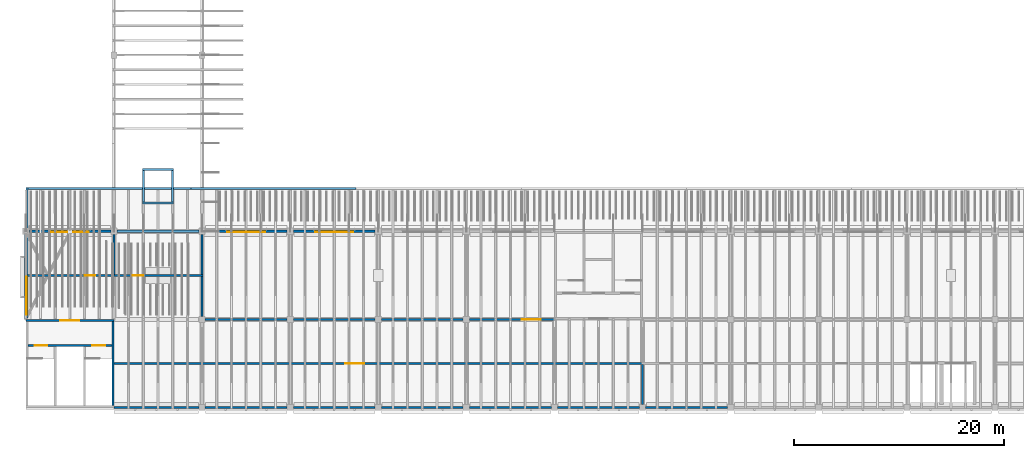
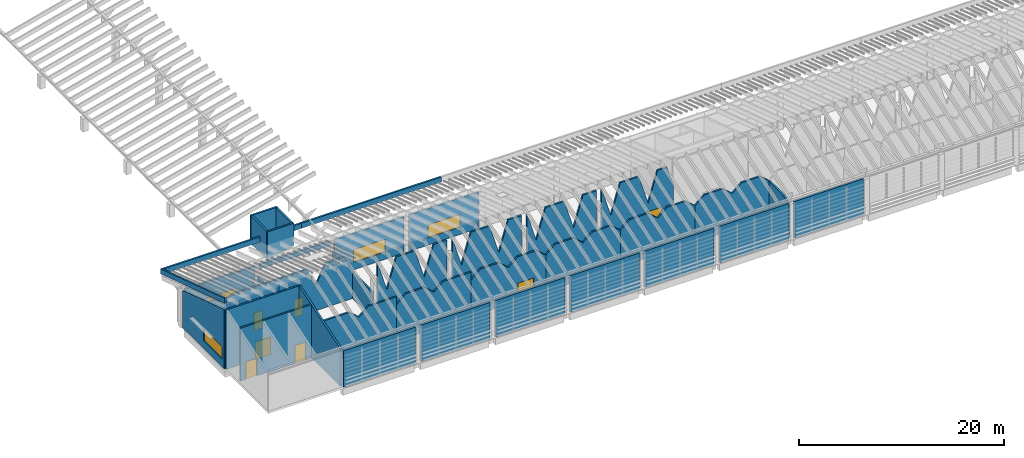
# One storey, part 19 of 59: 38 walls, 7 doors, 4 windows, 11 openings.
"""IFC4 building model written with IfcOpenShell, lengths in metres."""

from ifc_helpers import new_model, si_unit, direction, frame, frame_2d, origin, place, context, subcontext, project, spatial, polyline, rectangle, outline, extrude, material, layer, layer_set, type_object, element, fill, save


model = new_model("IFC4")

# Units and contexts
model_context = context("Model", 3, precision=1e-05, world=origin(), true_north=direction((0.0, 1.0)))
body_context = subcontext(model_context, "Body", "Model", "MODEL_VIEW")
ifc_project = project(units=[si_unit("LENGTHUNIT", "METRE"), si_unit("AREAUNIT", "SQUARE_METRE"), si_unit("VOLUMEUNIT", "CUBIC_METRE"), si_unit("PLANEANGLEUNIT", "RADIAN"), si_unit("MASSUNIT", "GRAM", prefix="KILO")], contexts=[model_context])

# Site, building, storey
site_placement = place(None, origin())
site = spatial("IfcSite", under=ifc_project, at=site_placement, CompositionType="ELEMENT")
building_placement = place(site_placement, origin())
building = spatial("IfcBuilding", under=site, at=building_placement, Name="Almond Square Museum", CompositionType="ELEMENT")
storey_placement = place(building_placement, frame((0.0, 0.0, 25.0)))
storey = spatial("IfcBuildingStorey", under=building, at=storey_placement, Name="L04", CompositionType="ELEMENT", Elevation=25.0)

# Walls
ifc_material_1 = material(Name="Concrete blockwork 200", Category="masonry")
ifc_layer_1 = layer(ifc_material_1, 0.199951171875)
ifc_layer_set_1 = layer_set([ifc_layer_1], Name="Concrete blockwork 200")
wall_type_1 = type_object("IfcWallType", Name="Fire partition 200 blockwork", PredefinedType="PARTITIONING", material=ifc_layer_set_1)
for number, where, z_axis, x_axis, name in (
    (1, (14.39990234375, 12.699951171875, 0.0), (0.0, 0.0, 1.0), (0.0, 1.0, 0.0), "L04 partition 31"),
    (2, (22.800048828125, 12.699951171875, 0.0), (0.0, 0.0, 1.0), (0.0, 1.0, 0.0), "L04 partition 32"),
):
    element("IfcWall", number, at=place(storey_placement, frame(where, z_axis=z_axis, x_axis=x_axis)), inside=storey, type_object=wall_type_1, Name=name, PredefinedType="PARTITIONING", context=body_context, shape_type="SweptSolid", body=[
        extrude(rectangle(XDim=3.800048828125, YDim=0.199951171875, at=frame_2d((1.89990234375, 0.0))), origin(), (0.0, 0.0, 1.0), 3.091064453125),
    ])

# Wall, opening, door
wall_1_placement = place(storey_placement, frame((6.14990234375, 12.60009765625, 0.0), z_axis=(0.0, 0.0, 1.0), x_axis=(1.0, 0.0, 0.0)))
wall_1 = element("IfcWall", 3, at=wall_1_placement, inside=storey, type_object=wall_type_1, Name="L04 partition 38", PredefinedType="PARTITIONING", context=body_context, shape_type="SweptSolid", body=[
    extrude(outline(polyline([(0.0, 0.0), (8.25, 0.0), (8.25, 5.264892578125), (3.14990234375, 5.264892578125), (2.10009765625, 4.489013671875), (1.050048828125, 5.264892578125), (0.0, 5.264892578125), (0.0, 0.0)])), frame((0.0, 0.10009765625, 0.0), z_axis=(0.0, -1.0, 0.0), x_axis=(1.0, 0.0, 0.0)), (0.0, 0.0, 1.0), 0.199951171875),
])
opening_1_placement = place(wall_1_placement, frame((5.47509765625, 0.0, 0.0)))
opening_1 = element("IfcOpeningElement", 4, at=opening_1_placement, cuts=wall_1, Name="Opening D4108", PredefinedType="OPENING", context=body_context, shape_type="SweptSolid", body=[
    extrude(rectangle(XDim=1.0, YDim=2.10009765625, at=frame_2d((0.5, 1.050048828125))), frame((0.0, 0.10986328125, 0.0), z_axis=(0.0, -1.0, 0.0), x_axis=(1.0, 0.0, 0.0)), (0.0, 0.0, 1.0), 0.219970703125),
])
ifc_material_2 = material(Name="Steel", Category="steel")
door_type_1 = type_object("IfcDoorType", Name="Fire door 1000 x 2100 FD60 single", OperationType="NOTDEFINED", PredefinedType="DOOR", material=ifc_material_2)
door_1_placement = place(opening_1_placement, origin())
door_1 = element("IfcDoor", 5, at=door_1_placement, inside=storey, type_object=door_type_1, Name="L04 door Cleaners' Store 2 to Service Corridor 2", OperationType="SINGLE_SWING_RIGHT", OverallHeight=2.10009765625, OverallWidth=1.0, PredefinedType="DOOR", context=body_context, shape_type="SweptSolid", body=[
    extrude(rectangle(XDim=1.0, YDim=2.10009765625, at=frame_2d((0.5, 1.050048828125))), frame((0.0, 0.02490234375, 0.0), z_axis=(0.0, -1.0, 0.0), x_axis=(1.0, 0.0, 0.0)), (0.0, 0.0, 1.0), 0.050048828125),
])
fill(opening_1, door_1)

wall_2_placement = place(storey_placement, frame((14.39990234375, 12.60009765625, 0.0), z_axis=(0.0, 0.0, 1.0), x_axis=(1.0, 0.0, 0.0)))
wall_2 = element("IfcWall", 6, at=wall_2_placement, inside=storey, type_object=wall_type_1, Name="L04 partition 39", PredefinedType="PARTITIONING", context=body_context, shape_type="SweptSolid", body=[
    extrude(outline(polyline([(0.0, 0.0), (8.5, 0.0), (8.5, 3.091064453125), (8.39990234375, 3.091064453125), (7.35009765625, 5.264892578125), (5.25, 5.264892578125), (4.199951171875, 3.091064453125), (3.14990234375, 5.264892578125), (0.0, 5.264892578125), (0.0, 0.0)])), frame((0.0, 0.10009765625, 0.0), z_axis=(0.0, -1.0, 0.0), x_axis=(1.0, 0.0, 0.0)), (0.0, 0.0, 1.0), 0.199951171875),
])
opening_2_placement = place(wall_2_placement, frame((1.77490234375, 0.0, 0.0)))
opening_2 = element("IfcOpeningElement", 7, at=opening_2_placement, cuts=wall_2, Name="Opening D4106", PredefinedType="OPENING", context=body_context, shape_type="SweptSolid", body=[
    extrude(rectangle(XDim=1.0, YDim=2.10009765625, at=frame_2d((0.5, 1.050048828125))), frame((0.0, 0.10986328125, 0.0), z_axis=(0.0, -1.0, 0.0), x_axis=(1.0, 0.0, 0.0)), (0.0, 0.0, 1.0), 0.219970703125),
])
door_2_placement = place(opening_2_placement, origin())
door_2 = element("IfcDoor", 8, at=door_2_placement, inside=storey, type_object=door_type_1, Name="L04 door Electrical Room 1 to Service Corridor 2", OperationType="SINGLE_SWING_LEFT", OverallHeight=2.10009765625, OverallWidth=1.0, PredefinedType="DOOR", context=body_context, shape_type="SweptSolid", body=[
    extrude(rectangle(XDim=1.0, YDim=2.10009765625, at=frame_2d((0.5, 1.050048828125))), frame((0.0, 0.02490234375, 0.0), z_axis=(0.0, -1.0, 0.0), x_axis=(1.0, 0.0, 0.0)), (0.0, 0.0, 1.0), 0.050048828125),
])
fill(opening_2, door_2)

# Walls
wall_3_placement = place(storey_placement, frame((23.10009765625, 8.39990234375, 0.0), z_axis=(0.0, 0.0, 1.0), x_axis=(1.0, 0.0, 0.0)))
element("IfcWall", 9, at=wall_3_placement, inside=storey, type_object=wall_type_1, Name="L04 partition 40", PredefinedType="PARTITIONING", context=body_context, shape_type="SweptSolid", body=[
    extrude(outline(polyline([(0.0, 0.0), (7.7998046875, 0.0), (7.800048828125, 6.62890625), (6.300048828125, 6.62890625), (5.25, 3.091064453125), (4.199951171875, 6.62890625), (2.10009765625, 6.62890625), (1.050048828125, 3.091064453125), (0.0, 6.62890625), (0.0, 0.0)])), frame((0.0, 0.10009765625, 0.0), z_axis=(0.0, -1.0, 0.0), x_axis=(1.0, 0.0, 0.0)), (0.0, 0.0, 1.0), 0.199951171875),
])
for number, where, z_axis, x_axis, name in (
    (10, (31.5, 8.39990234375, 0.0), (0.0, 0.0, 1.0), (1.0, 0.0, 0.0), "L04 partition 41"),
    (11, (39.89990234375, 8.39990234375, 0.0), (0.0, 0.0, 1.0), (1.0, 0.0, 0.0), "L04 partition 42"),
):
    element("IfcWall", number, at=place(storey_placement, frame(where, z_axis=z_axis, x_axis=x_axis)), inside=storey, type_object=wall_type_1, Name=name, PredefinedType="PARTITIONING", context=body_context, shape_type="SweptSolid", body=[
        extrude(outline(polyline([(0.0, 0.0), (7.800048828125, 0.0), (7.800048828125, 6.62890625), (6.300048828125, 6.62890625), (5.25, 3.091064453125), (4.199951171875, 6.62890625), (2.10009765625, 6.62890625), (1.050048828125, 3.091064453125), (0.0, 6.62890625), (0.0, 0.0)])), frame((0.0, 0.10009765625, 0.0), z_axis=(0.0, -1.0, 0.0), x_axis=(1.0, 0.0, 0.0)), (0.0, 0.0, 1.0), 0.199951171875),
    ])

# Wall, opening, door
wall_4_placement = place(storey_placement, frame((48.300048828125, 8.39990234375, 0.0), z_axis=(0.0, 0.0, 1.0), x_axis=(1.0, 0.0, 0.0)))
wall_4 = element("IfcWall", 12, at=wall_4_placement, inside=storey, type_object=wall_type_1, Name="L04 partition 43", PredefinedType="PARTITIONING", context=body_context, shape_type="SweptSolid", body=[
    extrude(outline(polyline([(0.0, 0.0), (8.099853515625, 0.0), (8.10009765625, 4.342041015625), (7.35009765625, 6.62890625), (6.300048828125, 6.62890625), (5.25, 3.091064453125), (4.199951171875, 6.62890625), (2.10009765625, 6.62890625), (1.050048828125, 3.091064453125), (0.0, 6.62890625), (0.0, 0.0)])), frame((0.0, 0.10009765625, 0.0), z_axis=(0.0, -1.0, 0.0), x_axis=(1.0, 0.0, 0.0)), (0.0, 0.0, 1.0), 0.199951171875),
])
opening_3_placement = place(wall_4_placement, frame((4.97509765625, 0.0, 0.0)))
opening_3 = element("IfcOpeningElement", 13, at=opening_3_placement, cuts=wall_4, Name="Opening D4109", PredefinedType="OPENING", context=body_context, shape_type="SweptSolid", body=[
    extrude(rectangle(XDim=1.800048828125, YDim=2.10009765625, at=frame_2d((0.89990234375, 1.050048828125))), frame((0.0, 0.10986328125, 0.0), z_axis=(0.0, -1.0, 0.0), x_axis=(1.0, 0.0, 0.0)), (0.0, 0.0, 1.0), 0.219970703125),
])
ifc_material_3 = material(Name="Steel", Category="steel")
door_type_2 = type_object("IfcDoorType", Name="Fire door 1800 x 2100 FD60 double", OperationType="NOTDEFINED", PredefinedType="DOOR", material=ifc_material_3)
door_3_placement = place(opening_3_placement, origin())
door_3 = element("IfcDoor", 14, at=door_3_placement, inside=storey, type_object=door_type_2, Name="L04 door Chiller Plant to Service Corridor 2", OperationType="DOUBLE_DOOR_SINGLE_SWING", OverallHeight=2.10009765625, OverallWidth=1.800048828125, PredefinedType="DOOR", context=body_context, shape_type="SweptSolid", body=[
    extrude(rectangle(XDim=1.800048828125, YDim=2.10009765625, at=frame_2d((0.89990234375, 1.050048828125))), frame((0.0, 0.02490234375, 0.0), z_axis=(0.0, -1.0, 0.0), x_axis=(1.0, 0.0, 0.0)), (0.0, 0.0, 1.0), 0.050048828125),
])
fill(opening_3, door_3)

# Walls
wall_5_placement = place(storey_placement, frame((22.800048828125, 8.699951171875, 0.0), z_axis=(0.0, 0.0, 1.0), x_axis=(0.0, 1.0, 0.0)))
element("IfcWall", 15, at=wall_5_placement, inside=storey, type_object=wall_type_1, Name="L04 partition 44", PredefinedType="PARTITIONING", context=body_context, shape_type="SweptSolid", body=[
    extrude(rectangle(XDim=3.800048828125, YDim=0.199951171875, at=frame_2d((1.89990234375, 0.0))), origin(), (0.0, 0.0, 1.0), 3.091064453125),
])
wall_6_placement = place(storey_placement, frame((14.39990234375, 4.199951171875, 0.0), z_axis=(0.0, 0.0, 1.0), x_axis=(1.0, 0.0, 0.0)))
element("IfcWall", 16, at=wall_6_placement, inside=storey, type_object=wall_type_1, Name="L04 partition 59", PredefinedType="PARTITIONING", context=body_context, shape_type="SweptSolid", body=[
    extrude(outline(polyline([(0.0, 0.0), (8.400146484375, 0.0), (8.39990234375, 5.264892578125), (5.25, 5.264892578125), (4.199951171875, 4.342041015625), (3.14990234375, 5.264892578125), (0.0, 5.264892578125), (0.0, 0.0)])), frame((0.0, 0.10009765625, 0.0), z_axis=(0.0, -1.0, 0.0), x_axis=(1.0, 0.0, 0.0)), (0.0, 0.0, 1.0), 0.199951171875),
])
wall_7_placement = place(storey_placement, frame((22.800048828125, 4.199951171875, 0.0), z_axis=(0.0, 0.0, 1.0), x_axis=(1.0, 0.0, 0.0)))
element("IfcWall", 17, at=wall_7_placement, inside=storey, type_object=wall_type_1, Name="L04 partition 60", PredefinedType="PARTITIONING", context=body_context, shape_type="SweptSolid", body=[
    extrude(outline(polyline([(0.0, 0.0), (8.39990234375, 0.0), (8.39990234375, 5.264892578125), (5.25, 5.264892578125), (4.199951171875, 4.342041015625), (3.14990234375, 5.264892578125), (1.050048828125, 5.264892578125), (0.0, 4.342041015625), (0.0, 0.0)])), frame((0.0, 0.10009765625, 0.0), z_axis=(0.0, -1.0, 0.0), x_axis=(1.0, 0.0, 0.0)), (0.0, 0.0, 1.0), 0.199951171875),
])

# Wall, opening, door
wall_8_placement = place(storey_placement, frame((31.199951171875, 4.199951171875, 0.0), z_axis=(0.0, 0.0, 1.0), x_axis=(1.0, 0.0, 0.0)))
wall_8 = element("IfcWall", 18, at=wall_8_placement, inside=storey, type_object=wall_type_1, Name="L04 partition 61", PredefinedType="PARTITIONING", context=body_context, shape_type="SweptSolid", body=[
    extrude(outline(polyline([(0.0, 0.0), (8.400146484375, 0.0), (8.39990234375, 4.342041015625), (7.35009765625, 5.264892578125), (5.25, 5.264892578125), (4.199951171875, 4.342041015625), (3.14990234375, 5.264892578125), (1.050048828125, 5.264892578125), (0.0, 4.342041015625), (0.0, 0.0)])), frame((0.0, 0.10009765625, 0.0), z_axis=(0.0, -1.0, 0.0), x_axis=(1.0, 0.0, 0.0)), (0.0, 0.0, 1.0), 0.199951171875),
])
opening_4_placement = place(wall_8_placement, frame((5.27490234375, 0.0, 0.0)))
opening_4 = element("IfcOpeningElement", 19, at=opening_4_placement, cuts=wall_8, Name="Opening D4111", PredefinedType="OPENING", context=body_context, shape_type="SweptSolid", body=[
    extrude(rectangle(XDim=1.800048828125, YDim=2.10009765625, at=frame_2d((0.89990234375, 1.050048828125))), frame((0.0, 0.10986328125, 0.0), z_axis=(0.0, -1.0, 0.0), x_axis=(1.0, 0.0, 0.0)), (0.0, 0.0, 1.0), 0.219970703125),
])
door_4_placement = place(opening_4_placement, origin())
door_4 = element("IfcDoor", 20, at=door_4_placement, inside=storey, type_object=door_type_2, Name="L04 door Air Handling Plant 2 to Service Corridor 2", OperationType="DOUBLE_DOOR_SINGLE_SWING", OverallHeight=2.10009765625, OverallWidth=1.800048828125, PredefinedType="DOOR", context=body_context, shape_type="SweptSolid", body=[
    extrude(rectangle(XDim=1.800048828125, YDim=2.10009765625, at=frame_2d((0.89990234375, 1.050048828125))), frame((0.0, 0.02490234375, 0.0), z_axis=(0.0, -1.0, 0.0), x_axis=(1.0, 0.0, 0.0)), (0.0, 0.0, 1.0), 0.050048828125),
])
fill(opening_4, door_4)

# Walls
for number, where, z_axis, x_axis, name in (
    (21, (39.60009765625, 4.199951171875, 0.0), (0.0, 0.0, 1.0), (1.0, 0.0, 0.0), "L04 partition 62"),
    (22, (48.0, 4.199951171875, 0.0), (0.0, 0.0, 1.0), (1.0, 0.0, 0.0), "L04 partition 63"),
):
    element("IfcWall", number, at=place(storey_placement, frame(where, z_axis=z_axis, x_axis=x_axis)), inside=storey, type_object=wall_type_1, Name=name, PredefinedType="PARTITIONING", context=body_context, shape_type="SweptSolid", body=[
        extrude(outline(polyline([(0.0, 0.0), (8.39990234375, 0.0), (8.39990234375, 4.342041015625), (7.35009765625, 5.264892578125), (5.25, 5.264892578125), (4.199951171875, 4.342041015625), (3.14990234375, 5.264892578125), (1.050048828125, 5.264892578125), (0.0, 4.342041015625), (0.0, 0.0)])), frame((0.0, 0.10009765625, 0.0), z_axis=(0.0, -1.0, 0.0), x_axis=(1.0, 0.0, 0.0)), (0.0, 0.0, 1.0), 0.199951171875),
    ])
wall_9_placement = place(storey_placement, frame((56.39990234375, 4.199951171875, 0.0), z_axis=(0.0, 0.0, 1.0), x_axis=(1.0, 0.0, 0.0)))
element("IfcWall", 23, at=wall_9_placement, inside=storey, type_object=wall_type_1, Name="L04 partition 64", PredefinedType="PARTITIONING", context=body_context, shape_type="SweptSolid", body=[
    extrude(outline(polyline([(0.0, 0.0), (8.5, 0.0), (8.5, 4.342041015625), (8.39990234375, 4.342041015625), (7.35009765625, 5.264892578125), (5.25, 5.264892578125), (4.199951171875, 4.342041015625), (3.14990234375, 5.264892578125), (1.050048828125, 5.264892578125), (0.0, 4.342041015625), (0.0, 0.0)])), frame((0.0, 0.10009765625, 0.0), z_axis=(0.0, -1.0, 0.0), x_axis=(1.0, 0.0, 0.0)), (0.0, 0.0, 1.0), 0.199951171875),
])
wall_10_placement = place(storey_placement, frame((64.800048828125, 0.300048828125, 0.0), z_axis=(0.0, 0.0, 1.0), x_axis=(0.0, 1.0, 0.0)))
element("IfcWall", 24, at=wall_10_placement, inside=storey, type_object=wall_type_1, Name="L04 partition 69", PredefinedType="PARTITIONING", context=body_context, shape_type="SweptSolid", body=[
    extrude(outline(polyline([(0.0, 0.0), (3.800048828125, 0.0), (3.800048828125, 4.342041015625), (2.10009765625, 4.342041015625), (1.050048828125, 4.339111328125), (0.0, 4.0458984375), (0.0, 0.0)])), frame((0.0, 0.10009765625, 0.0), z_axis=(0.0, -1.0, 0.0), x_axis=(1.0, 0.0, 0.0)), (0.0, 0.0, 1.0), 0.199951171875),
])
ifc_material_4 = material(Name="Concrete C40/50", Category="concrete")
ifc_layer_2 = layer(ifc_material_4, 0.199951171875)
ifc_layer_set_2 = layer_set([ifc_layer_2], Name="Concrete C40/50")
wall_type_2 = type_object("IfcWallType", Name="RC lift machine room wall 200 C40/50", PredefinedType="SOLIDWALL", material=ifc_layer_set_2)
for number, where, z_axis, x_axis, name in (
    (25, (17.10009765625, 19.5, 2.3076171875), (0.0, 0.0, 1.0), (1.0, 0.0, 0.0), "Lift machine room W1 south wall"),
    (26, (17.10009765625, 22.699951171875, 2.3076171875), (0.0, 0.0, 1.0), (1.0, 0.0, 0.0), "Lift machine room W1 north wall"),
):
    element("IfcWall", number, at=place(storey_placement, frame(where, z_axis=z_axis, x_axis=x_axis)), inside=storey, type_object=wall_type_2, Name=name, PredefinedType="SOLIDWALL", context=body_context, shape_type="SweptSolid", body=[
        extrude(outline(polyline([(0.0, -0.00048828125), (3.0, 0.785400390625), (3.0, 3.384765625), (0.0, 3.384765625), (0.0, -0.00048828125)])), frame((0.0, 0.10009765625, 0.0), z_axis=(0.0, -1.0, 0.0), x_axis=(1.0, 0.0, 0.0)), (0.0, 0.0, 1.0), 0.199951171875),
    ])
wall_11_placement = place(storey_placement, frame((17.199951171875, 19.60009765625, 2.33251953125), z_axis=(0.0, 0.0, 1.0), x_axis=(0.0, 1.0, 0.0)))
element("IfcWall", 27, at=wall_11_placement, inside=storey, type_object=wall_type_2, Name="Lift machine room W1 west wall", PredefinedType="SOLIDWALL", context=body_context, shape_type="SweptSolid", body=[
    extrude(rectangle(XDim=3.0, YDim=0.199951171875, at=frame_2d((1.5, 0.0))), origin(), (0.0, 0.0, 1.0), 3.35986328125),
])
wall_12_placement = place(storey_placement, frame((20.0, 19.60009765625, 3.0673828125), z_axis=(0.0, 0.0, 1.0), x_axis=(0.0, 1.0, 0.0)))
element("IfcWall", 28, at=wall_12_placement, inside=storey, type_object=wall_type_2, Name="Lift machine room W1 east wall", PredefinedType="SOLIDWALL", context=body_context, shape_type="SweptSolid", body=[
    extrude(rectangle(XDim=3.0, YDim=0.199951171875, at=frame_2d((1.5, 0.0))), origin(), (0.0, 0.0, 1.0), 2.625),
])

# Wall, opening, door
ifc_material_5 = material(Name="Concrete C40/50", Category="concrete")
ifc_layer_3 = layer(ifc_material_5, 0.199951171875)
ifc_layer_set_3 = layer_set([ifc_layer_3], Name="Concrete C40/50")
wall_type_3 = type_object("IfcWallType", Name="RC shear wall 200 C40/50", PredefinedType="SHEAR", material=ifc_layer_set_3)
wall_13_placement = place(storey_placement, frame((6.0, 8.300048828125, 0.0), z_axis=(0.0, 0.0, 1.0), x_axis=(1.0, 0.0, 0.0)))
wall_13 = element("IfcWall", 29, at=wall_13_placement, inside=storey, type_object=wall_type_3, Name="Core S1 north wall L04", PredefinedType="SHEAR", context=body_context, shape_type="SweptSolid", body=[
    extrude(rectangle(XDim=8.39990234375, YDim=0.199951171875, at=frame_2d((4.199951171875, 0.0))), origin(), (0.0, 0.0, 1.0), 7.097412109375),
])
opening_5_placement = place(wall_13_placement, frame((3.300048828125, 0.0, 0.0)))
opening_5 = element("IfcOpeningElement", 30, at=opening_5_placement, cuts=wall_13, Name="Opening D4151", PredefinedType="OPENING", context=body_context, shape_type="SweptSolid", body=[
    extrude(rectangle(XDim=1.800048828125, YDim=2.10009765625, at=frame_2d((0.89990234375, 1.050048828125))), frame((0.0, 0.10986328125, 0.0), z_axis=(0.0, -1.0, 0.0), x_axis=(1.0, 0.0, 0.0)), (0.0, 0.0, 1.0), 0.219970703125),
])
door_5_placement = place(opening_5_placement, origin())
door_5 = element("IfcDoor", 31, at=door_5_placement, inside=storey, type_object=door_type_2, Name="L04 stair core S1 lobby door", OperationType="DOUBLE_DOOR_SINGLE_SWING", OverallHeight=2.10009765625, OverallWidth=1.800048828125, PredefinedType="DOOR", context=body_context, shape_type="SweptSolid", body=[
    extrude(rectangle(XDim=1.800048828125, YDim=2.10009765625, at=frame_2d((0.89990234375, 1.050048828125))), frame((0.0, 0.02490234375, 0.0), z_axis=(0.0, -1.0, 0.0), x_axis=(1.0, 0.0, 0.0)), (0.0, 0.0, 1.0), 0.050048828125),
])
fill(opening_5, door_5)

# Wall
wall_14_placement = place(storey_placement, frame((14.300048828125, 0.199951171875, 0.0), z_axis=(0.0, 0.0, 1.0), x_axis=(0.0, 1.0, 0.0)))
element("IfcWall", 32, at=wall_14_placement, inside=storey, type_object=wall_type_3, Name="Core S1 east wall L04", PredefinedType="SHEAR", context=body_context, shape_type="SweptSolid", body=[
    extrude(outline(polyline([(0.0, 0.0), (8.0, 0.0), (8.0, 7.06396484375), (7.111083984375, 6.77587890625), (6.814697265625, 6.678955078125), (6.22216796875, 6.487060546875), (5.92578125, 6.389892578125), (5.037109375, 6.10205078125), (4.74072265625, 6.0048828125), (3.851806640625, 5.717041015625), (3.5556640625, 5.6201171875), (2.962890625, 5.427978515625), (2.666748046875, 5.3310546875), (1.77783203125, 5.04296875), (1.4814453125, 4.946044921875), (0.592529296875, 4.657958984375), (0.29638671875, 4.56103515625), (0.0, 4.465087890625), (0.0, 0.0)])), frame((0.0, 0.10009765625, 0.0), z_axis=(0.0, -1.0, 0.0), x_axis=(1.0, 0.0, 0.0)), (0.0, 0.0, 1.0), 0.199951171875),
])

# Wall, openings, doors
wall_15_placement = place(storey_placement, frame((6.199951171875, 5.89990234375, 0.0), z_axis=(0.0, 0.0, 1.0), x_axis=(1.0, 0.0, 0.0)))
wall_15 = element("IfcWall", 33, at=wall_15_placement, inside=storey, type_object=wall_type_3, Name="Core S1 lobby wall L04", PredefinedType="SHEAR", context=body_context, shape_type="SweptSolid", body=[
    extrude(rectangle(XDim=8.0, YDim=0.199951171875, at=frame_2d((4.0, 0.0))), origin(), (0.0, 0.0, 1.0), 6.3173828125),
])
opening_6_placement = place(wall_15_placement, frame((0.64990234375, 0.0, 0.0)))
opening_6 = element("IfcOpeningElement", 34, at=opening_6_placement, cuts=wall_15, Name="Opening D4152", PredefinedType="OPENING", context=body_context, shape_type="SweptSolid", body=[
    extrude(rectangle(XDim=1.199951171875, YDim=2.10009765625, at=frame_2d((0.60009765625, 1.050048828125))), frame((0.0, 0.10986328125, 0.0), z_axis=(0.0, -1.0, 0.0), x_axis=(1.0, 0.0, 0.0)), (0.0, 0.0, 1.0), 0.219970703125),
])
opening_7_placement = place(wall_15_placement, frame((6.14990234375, 0.0, 0.0)))
opening_7 = element("IfcOpeningElement", 35, at=opening_7_placement, cuts=wall_15, Name="Opening D4153", PredefinedType="OPENING", context=body_context, shape_type="SweptSolid", body=[
    extrude(rectangle(XDim=1.199951171875, YDim=2.10009765625, at=frame_2d((0.60009765625, 1.050048828125))), frame((0.0, 0.10986328125, 0.0), z_axis=(0.0, -1.0, 0.0), x_axis=(1.0, 0.0, 0.0)), (0.0, 0.0, 1.0), 0.219970703125),
])
ifc_material_6 = material(Name="Steel", Category="steel")
door_type_3 = type_object("IfcDoorType", Name="Fire door 1200 x 2100 FD120 stair", OperationType="NOTDEFINED", PredefinedType="DOOR", material=ifc_material_6)
door_6_placement = place(opening_6_placement, origin())
door_6 = element("IfcDoor", 36, at=door_6_placement, inside=storey, type_object=door_type_3, Name="L04 stair S1-1 door", OperationType="SINGLE_SWING_LEFT", OverallHeight=2.10009765625, OverallWidth=1.199951171875, PredefinedType="DOOR", context=body_context, shape_type="SweptSolid", body=[
    extrude(rectangle(XDim=1.199951171875, YDim=2.10009765625, at=frame_2d((0.60009765625, 1.050048828125))), frame((0.0, 0.02490234375, 0.0), z_axis=(0.0, -1.0, 0.0), x_axis=(1.0, 0.0, 0.0)), (0.0, 0.0, 1.0), 0.050048828125),
])
fill(opening_6, door_6)
door_7_placement = place(opening_7_placement, origin())
door_7 = element("IfcDoor", 37, at=door_7_placement, inside=storey, type_object=door_type_3, Name="L04 stair S1-2 door", OperationType="SINGLE_SWING_RIGHT", OverallHeight=2.10009765625, OverallWidth=1.199951171875, PredefinedType="DOOR", context=body_context, shape_type="SweptSolid", body=[
    extrude(rectangle(XDim=1.199951171875, YDim=2.10009765625, at=frame_2d((0.60009765625, 1.050048828125))), frame((0.0, 0.02490234375, 0.0), z_axis=(0.0, -1.0, 0.0), x_axis=(1.0, 0.0, 0.0)), (0.0, 0.0, 1.0), 0.050048828125),
])
fill(opening_7, door_7)

# Walls
ifc_material_7 = material(Name="Concrete C30/37", Category="concrete")
ifc_layer_4 = layer(ifc_material_7, 0.199951171875)
ifc_layer_set_4 = layer_set([ifc_layer_4], Name="Concrete C30/37")
wall_type_4 = type_object("IfcWallType", Name="Roof parapet 200", PredefinedType="PARAPET", material=ifc_layer_set_4)
wall_16_placement = place(storey_placement, frame((6.10009765625, 8.52587890625, 3.631103515625), z_axis=(0.0, 0.0, 1.0), x_axis=(0.0, 1.0, 0.0)))
element("IfcWall", 38, at=wall_16_placement, inside=storey, type_object=wall_type_4, Name="Roof parapet 1", PredefinedType="PARAPET", context=body_context, shape_type="SweptSolid", body=[
    extrude(outline(polyline([(0.0, 4.051513671875), (12.47412109375, 0.0), (12.47412109375, 0.60498046875), (0.0, 4.656494140625), (0.0, 4.051513671875)])), frame((0.0, 0.10009765625, 0.0), z_axis=(0.0, -1.0, 0.0), x_axis=(1.0, 0.0, 0.0)), (0.0, 0.0, 1.0), 0.199951171875),
])
wall_17_placement = place(storey_placement, frame((6.0, 20.89990234375, 3.662841796875), z_axis=(0.0, 0.0, 1.0), x_axis=(1.0, 0.0, 0.0)))
element("IfcWall", 39, at=wall_17_placement, inside=storey, type_object=wall_type_4, Name="Roof parapet 2", PredefinedType="PARAPET", context=body_context, shape_type="SweptSolid", body=[
    extrude(rectangle(XDim=15.74365234375, YDim=0.199951171875, at=frame_2d((7.871826171875, 0.0))), origin(), (0.0, 0.0, 1.0), 0.60498046875),
])
wall_18_placement = place(storey_placement, frame((21.74365234375, 20.89990234375, 3.662841796875), z_axis=(0.0, 0.0, 1.0), x_axis=(1.0, 0.0, 0.0)))
element("IfcWall", 40, at=wall_18_placement, inside=storey, type_object=wall_type_4, Name="Roof parapet 3", PredefinedType="PARAPET", context=body_context, shape_type="SweptSolid", body=[
    extrude(rectangle(XDim=15.743896484375, YDim=0.199951171875, at=frame_2d((7.8720703125, 0.0))), origin(), (0.0, 0.0, 1.0), 0.60498046875),
])
ifc_material_8 = material(Name="Concrete C30/37", Category="concrete")
ifc_layer_5 = layer(ifc_material_8, 0.219970703125)
ifc_layer_set_5 = layer_set([ifc_layer_5], Name="Concrete C30/37")
wall_type_5 = type_object("IfcWallType", Name="Stucco panel wall 220 with insulation", PredefinedType="SOLIDWALL", material=ifc_layer_set_5)
wall_19_placement = place(storey_placement, frame((14.39990234375, 0.0, 0.0), z_axis=(0.0, 0.0, 1.0), x_axis=(1.0, 0.0, 0.0)))
element("IfcWall", 41, at=wall_19_placement, inside=storey, type_object=wall_type_5, Name="External wall W4 V5S L04 S01", PredefinedType="SOLIDWALL", context=body_context, shape_type="SweptSolid", body=[
    extrude(rectangle(XDim=8.10009765625, YDim=0.219970703125, at=frame_2d((4.050048828125, 0.0))), origin(), (0.0, 0.0, 1.0), 4.33447265625),
])
wall_20_placement = place(storey_placement, frame((23.10009765625, 0.0, 0.0), z_axis=(0.0, 0.0, 1.0), x_axis=(1.0, 0.0, 0.0)))
element("IfcWall", 42, at=wall_20_placement, inside=storey, type_object=wall_type_5, Name="External wall W4 V5S L04 S02", PredefinedType="SOLIDWALL", context=body_context, shape_type="SweptSolid", body=[
    extrude(rectangle(XDim=7.7998046875, YDim=0.219970703125, at=frame_2d((3.89990234375, 0.0))), origin(), (0.0, 0.0, 1.0), 4.33447265625),
])
for number, where, z_axis, x_axis, name in (
    (43, (31.5, 0.0, 0.0), (0.0, 0.0, 1.0), (1.0, 0.0, 0.0), "External wall W4 V5S L04 S03"),
    (44, (39.89990234375, 0.0, 0.0), (0.0, 0.0, 1.0), (1.0, 0.0, 0.0), "External wall W4 V5S L04 S04"),
    (45, (48.300048828125, 0.0, 0.0), (0.0, 0.0, 1.0), (1.0, 0.0, 0.0), "External wall W4 V5S L04 S05"),
    (46, (56.699951171875, 0.0, 0.0), (0.0, 0.0, 1.0), (1.0, 0.0, 0.0), "External wall W4 V5S L04 S06"),
):
    element("IfcWall", number, at=place(storey_placement, frame(where, z_axis=z_axis, x_axis=x_axis)), inside=storey, type_object=wall_type_5, Name=name, PredefinedType="SOLIDWALL", context=body_context, shape_type="SweptSolid", body=[
        extrude(rectangle(XDim=7.800048828125, YDim=0.219970703125, at=frame_2d((3.89990234375, 0.0))), origin(), (0.0, 0.0, 1.0), 4.33447265625),
    ])
wall_21_placement = place(storey_placement, frame((65.10009765625, 0.0, 0.0), z_axis=(0.0, 0.0, 1.0), x_axis=(1.0, 0.0, 0.0)))
element("IfcWall", 47, at=wall_21_placement, inside=storey, type_object=wall_type_5, Name="External wall W4 V5S L04 S07", PredefinedType="SOLIDWALL", context=body_context, shape_type="SweptSolid", body=[
    extrude(rectangle(XDim=7.7998046875, YDim=0.219970703125, at=frame_2d((3.89990234375, 0.0))), origin(), (0.0, 0.0, 1.0), 4.33447265625),
])

# Wall, opening, window
wall_22_placement = place(storey_placement, frame((31.5, 16.800048828125, 0.0), z_axis=(0.0, 0.0, 1.0), x_axis=(1.0, 0.0, 0.0)))
wall_22 = element("IfcWall", 48, at=wall_22_placement, inside=storey, type_object=wall_type_5, Name="External wall W4 V5S L04 N10", PredefinedType="SOLIDWALL", context=body_context, shape_type="SweptSolid", body=[
    extrude(rectangle(XDim=7.800048828125, YDim=0.219970703125, at=frame_2d((3.89990234375, 0.0))), origin(), (0.0, 0.0, 1.0), 4.33447265625),
])
opening_8_placement = place(wall_22_placement, frame((2.10009765625, 0.0, 0.89990234375)))
opening_8 = element("IfcOpeningElement", 49, at=opening_8_placement, cuts=wall_22, Name="Opening W4017", PredefinedType="OPENING", context=body_context, shape_type="SweptSolid", body=[
    extrude(rectangle(XDim=3.60009765625, YDim=1.5, at=frame_2d((1.800048828125, 0.75))), frame((0.0, 0.119873046875, 0.0), z_axis=(0.0, -1.0, 0.0), x_axis=(1.0, 0.0, 0.0)), (0.0, 0.0, 1.0), 0.239990234375),
])
ifc_material_9 = material(Name="Aluminium frame and laminated glass", Category="aluminium")
window_type = type_object("IfcWindowType", Name="Office ribbon window", PartitioningType="SINGLE_PANEL", PredefinedType="WINDOW", material=ifc_material_9)
window_1_placement = place(opening_8_placement, origin())
window_1 = element("IfcWindow", 50, at=window_1_placement, inside=storey, type_object=window_type, Name="Office ribbon window W4017", OverallHeight=1.5, OverallWidth=3.60009765625, PartitioningType="DOUBLE_PANEL_VERTICAL", PredefinedType="WINDOW", context=body_context, shape_type="SweptSolid", body=[
    extrude(rectangle(XDim=3.60009765625, YDim=1.5, at=frame_2d((1.800048828125, 0.75))), frame((0.0, -0.030029296875, 0.0), z_axis=(0.0, -1.0, 0.0), x_axis=(1.0, 0.0, 0.0)), (0.0, 0.0, 1.0), 0.06005859375),
])
fill(opening_8, window_1)

wall_23_placement = place(storey_placement, frame((23.10009765625, 16.800048828125, 0.0), z_axis=(0.0, 0.0, 1.0), x_axis=(1.0, 0.0, 0.0)))
wall_23 = element("IfcWall", 51, at=wall_23_placement, inside=storey, type_object=wall_type_5, Name="External wall W4 V5S L04 N11", PredefinedType="SOLIDWALL", context=body_context, shape_type="SweptSolid", body=[
    extrude(rectangle(XDim=7.7998046875, YDim=0.219970703125, at=frame_2d((3.89990234375, 0.0))), origin(), (0.0, 0.0, 1.0), 4.33447265625),
])
opening_9_placement = place(wall_23_placement, frame((2.10009765625, 0.0, 0.89990234375)))
opening_9 = element("IfcOpeningElement", 52, at=opening_9_placement, cuts=wall_23, Name="Opening W4018", PredefinedType="OPENING", context=body_context, shape_type="SweptSolid", body=[
    extrude(rectangle(XDim=3.60009765625, YDim=1.5, at=frame_2d((1.800048828125, 0.75))), frame((0.0, 0.119873046875, 0.0), z_axis=(0.0, -1.0, 0.0), x_axis=(1.0, 0.0, 0.0)), (0.0, 0.0, 1.0), 0.239990234375),
])
window_2_placement = place(opening_9_placement, origin())
window_2 = element("IfcWindow", 53, at=window_2_placement, inside=storey, type_object=window_type, Name="Office ribbon window W4018", OverallHeight=1.5, OverallWidth=3.60009765625, PartitioningType="DOUBLE_PANEL_VERTICAL", PredefinedType="WINDOW", context=body_context, shape_type="SweptSolid", body=[
    extrude(rectangle(XDim=3.60009765625, YDim=1.5, at=frame_2d((1.800048828125, 0.75))), frame((0.0, -0.030029296875, 0.0), z_axis=(0.0, -1.0, 0.0), x_axis=(1.0, 0.0, 0.0)), (0.0, 0.0, 1.0), 0.06005859375),
])
fill(opening_9, window_2)

# Wall
wall_24_placement = place(storey_placement, frame((14.699951171875, 16.800048828125, 3.800048828125), z_axis=(0.0, 0.0, 1.0), x_axis=(1.0, 0.0, 0.0)))
element("IfcWall", 54, at=wall_24_placement, inside=storey, type_object=wall_type_5, Name="External wall W4 V5S L04 N12", PredefinedType="SOLIDWALL", context=body_context, shape_type="SweptSolid", body=[
    extrude(rectangle(XDim=7.800048828125, YDim=0.219970703125, at=frame_2d((3.89990234375, 0.0))), origin(), (0.0, 0.0, 1.0), 0.534423828125),
])

# Wall, opening, window
wall_25_placement = place(storey_placement, frame((6.300048828125, 16.800048828125, 0.0), z_axis=(0.0, 0.0, 1.0), x_axis=(1.0, 0.0, 0.0)))
wall_25 = element("IfcWall", 55, at=wall_25_placement, inside=storey, type_object=wall_type_5, Name="External wall W4 V5S L04 N13", PredefinedType="SOLIDWALL", context=body_context, shape_type="SweptSolid", body=[
    extrude(rectangle(XDim=7.800048828125, YDim=0.219970703125, at=frame_2d((3.89990234375, 0.0))), origin(), (0.0, 0.0, 1.0), 4.33447265625),
])
opening_10_placement = place(wall_25_placement, frame((2.10009765625, 0.0, 0.89990234375)))
opening_10 = element("IfcOpeningElement", 56, at=opening_10_placement, cuts=wall_25, Name="Opening W4019", PredefinedType="OPENING", context=body_context, shape_type="SweptSolid", body=[
    extrude(rectangle(XDim=3.60009765625, YDim=1.5, at=frame_2d((1.800048828125, 0.75))), frame((0.0, 0.119873046875, 0.0), z_axis=(0.0, -1.0, 0.0), x_axis=(1.0, 0.0, 0.0)), (0.0, 0.0, 1.0), 0.239990234375),
])
window_3_placement = place(opening_10_placement, origin())
window_3 = element("IfcWindow", 57, at=window_3_placement, inside=storey, type_object=window_type, Name="Office ribbon window W4019", OverallHeight=1.5, OverallWidth=3.60009765625, PartitioningType="DOUBLE_PANEL_VERTICAL", PredefinedType="WINDOW", context=body_context, shape_type="SweptSolid", body=[
    extrude(rectangle(XDim=3.60009765625, YDim=1.5, at=frame_2d((1.800048828125, 0.75))), frame((0.0, -0.030029296875, 0.0), z_axis=(0.0, -1.0, 0.0), x_axis=(1.0, 0.0, 0.0)), (0.0, 0.0, 1.0), 0.06005859375),
])
fill(opening_10, window_3)

wall_26_placement = place(storey_placement, frame((6.0, 8.39990234375, 0.0), z_axis=(0.0, 0.0, 1.0), x_axis=(0.0, 1.0, 0.0)))
wall_26 = element("IfcWall", 58, at=wall_26_placement, inside=storey, type_object=wall_type_5, Name="External wall W4 V5S L04 W01", PredefinedType="SOLIDWALL", context=body_context, shape_type="SweptSolid", body=[
    extrude(outline(polyline([(0.0, 0.0), (8.10009765625, 0.0), (8.10009765625, 4.431884765625), (0.0, 7.09619140625), (0.0, 0.0)])), frame((0.0, 0.10986328125, 0.0), z_axis=(0.0, -1.0, 0.0), x_axis=(1.0, 0.0, 0.0)), (0.0, 0.0, 1.0), 0.219970703125),
])
opening_11_placement = place(wall_26_placement, frame((0.449951171875, 0.0, 0.89990234375)))
opening_11 = element("IfcOpeningElement", 59, at=opening_11_placement, cuts=wall_26, Name="Opening W4020", PredefinedType="OPENING", context=body_context, shape_type="SweptSolid", body=[
    extrude(rectangle(XDim=3.60009765625, YDim=1.5, at=frame_2d((1.800048828125, 0.75))), frame((0.0, 0.119873046875, 0.0), z_axis=(0.0, -1.0, 0.0), x_axis=(1.0, 0.0, 0.0)), (0.0, 0.0, 1.0), 0.239990234375),
])
window_4_placement = place(opening_11_placement, origin())
window_4 = element("IfcWindow", 60, at=window_4_placement, inside=storey, type_object=window_type, Name="Office ribbon window W4020", OverallHeight=1.5, OverallWidth=3.60009765625, PartitioningType="DOUBLE_PANEL_VERTICAL", PredefinedType="WINDOW", context=body_context, shape_type="SweptSolid", body=[
    extrude(rectangle(XDim=3.60009765625, YDim=1.5, at=frame_2d((1.800048828125, 0.75))), frame((0.0, -0.030029296875, 0.0), z_axis=(0.0, -1.0, 0.0), x_axis=(1.0, 0.0, 0.0)), (0.0, 0.0, 1.0), 0.06005859375),
])
fill(opening_11, window_4)

save(model, "model.ifc")
